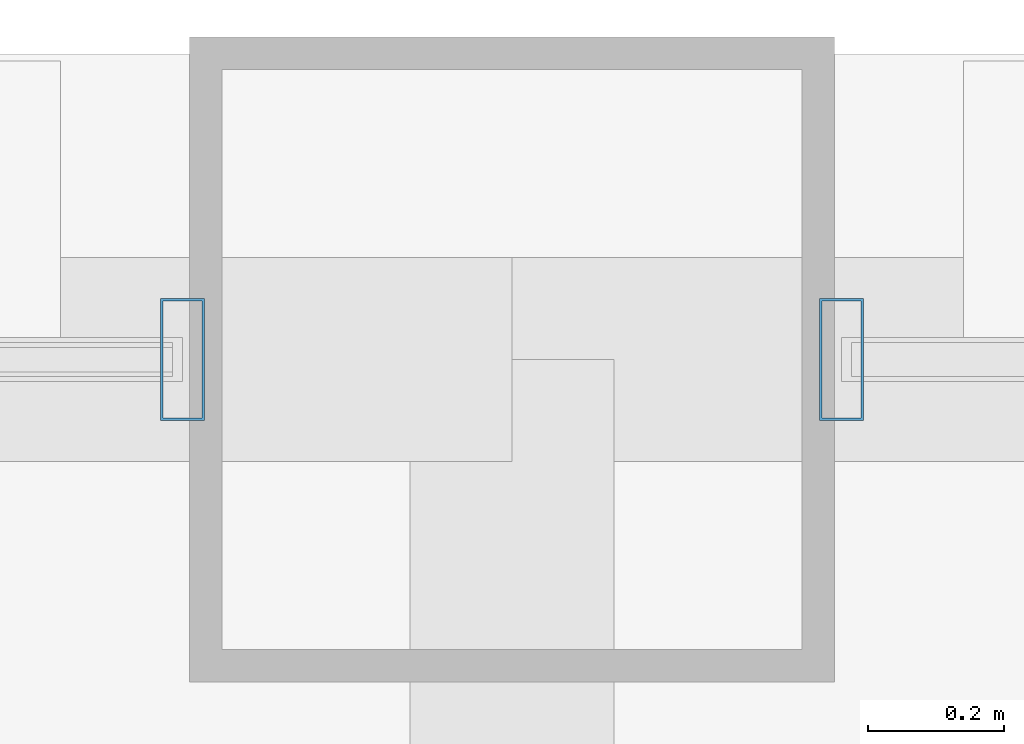
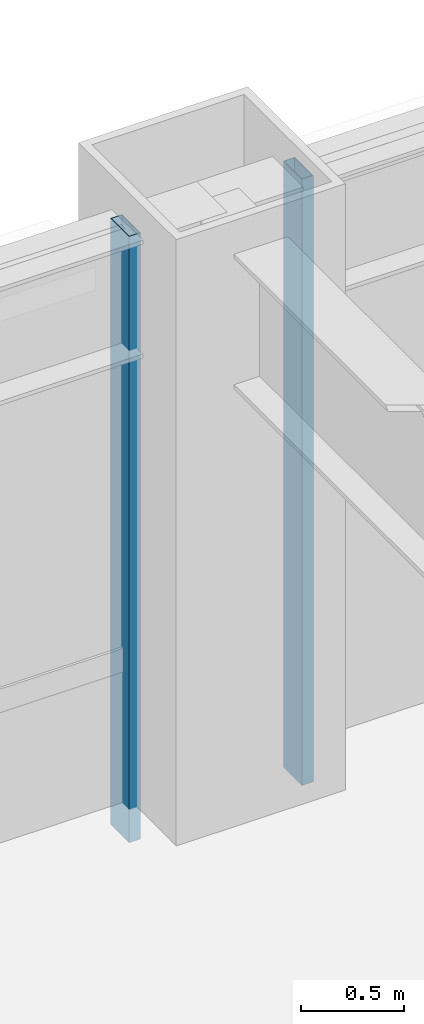
# One storey, part 19 of 31: 2 members, 2 elements without a shape of their own.
"""IFC4 building model written with IfcOpenShell, lengths in metres."""

from ifc_helpers import new_model, si_unit, direction, frame, origin, origin_2d, place, context, subcontext, project, spatial, hollow_rectangle, extrude, material, layer, layer_set, material_profile, profile_set, type_object, element, aggregate, save


model = new_model("IFC4")

# Units and contexts
model_context = context("Model", 3, precision=1e-05, world=origin(), true_north=direction((0.0, 1.0)))
body_context = subcontext(model_context, "Body", "Model", "MODEL_VIEW")
ifc_project = project(units=[si_unit("LENGTHUNIT", "METRE"), si_unit("AREAUNIT", "SQUARE_METRE"), si_unit("VOLUMEUNIT", "CUBIC_METRE"), si_unit("PLANEANGLEUNIT", "RADIAN"), si_unit("MASSUNIT", "GRAM", prefix="KILO")], contexts=[model_context])

# Site, building, storey
site_placement = place(None, origin())
site = spatial("IfcSite", under=ifc_project, at=site_placement, CompositionType="ELEMENT")
building_placement = place(site_placement, origin())
building = spatial("IfcBuilding", under=site, at=building_placement, Name="Brelmoor Portico Tower", CompositionType="ELEMENT")
storey_placement = place(building_placement, frame((0.0, 0.0, 31.199951171875)))
storey = spatial("IfcBuildingStorey", under=building, at=storey_placement, Name="L07", CompositionType="ELEMENT", Elevation=31.199951171875)

# Curtain wall, member
ifc_material = material(Name="Anodised Aluminium Alloy 6063-T6", Category="aluminium")
ifc_layer_1 = layer(ifc_material, 0.179931640625)
ifc_layer_set_1 = layer_set([ifc_layer_1], Name="Anodised Aluminium Alloy 6063-T6")
curtain_wall_type_1 = type_object("IfcCurtainWallType", Name="CW-TOWER-Z1", PredefinedType="NOTDEFINED", material=ifc_layer_set_1)
curtain_wall_1_placement = place(storey_placement, origin())
curtain_wall_1 = element("IfcCurtainWall", 1, at=curtain_wall_1_placement, inside=storey, type_object=curtain_wall_type_1, Name="L07 Curtain Wall CW-L07-2L-2", PredefinedType="NOTDEFINED")
ifc_material_profile = material_profile(ifc_material, hollow_rectangle(XDim=0.06494140625, YDim=0.179931640625, WallThickness=0.00390625, at=origin_2d()), Name="ALU MULLION 65x180")
ifc_profile_set = profile_set([ifc_material_profile], Name="Anodised Aluminium Alloy 6063-T6")
member_type = type_object("IfcMemberType", Name="MB-CW-MULL-180", PredefinedType="MULLION", material=ifc_profile_set)
member_1_placement = place(storey_placement, frame((-8.534912109375, 21.550048828125, -0.199951171875), z_axis=(0.0, 0.0, 1.0), x_axis=(1.0, 0.0, 0.0)))
member_1 = element("IfcMember", 2, at=member_1_placement, type_object=member_type, Name="CW-L07-2L-2 Mullion 01", PredefinedType="MULLION", context=body_context, shape_type="SweptSolid", body=[
    extrude(hollow_rectangle(XDim=0.06494140625, YDim=0.179931640625, WallThickness=0.00390625, at=origin_2d()), origin(), (0.0, 0.0, 1.0), 3.60009765625),
])
aggregate(curtain_wall_1, [member_1])

ifc_layer_2 = layer(ifc_material, 0.179931640625)
ifc_layer_set_2 = layer_set([ifc_layer_2], Name="Anodised Aluminium Alloy 6063-T6")
curtain_wall_type_2 = type_object("IfcCurtainWallType", Name="CW-TOWER-Z1-XB", PredefinedType="NOTDEFINED", material=ifc_layer_set_2)
curtain_wall_2_placement = place(storey_placement, origin())
curtain_wall_2 = element("IfcCurtainWall", 3, at=curtain_wall_2_placement, inside=storey, type_object=curtain_wall_type_2, Name="L07 Curtain Wall CW-L07-2L-3", PredefinedType="NOTDEFINED")
member_2_placement = place(storey_placement, frame((-7.56494140625, 21.550048828125, -0.199951171875), z_axis=(0.0, 0.0, 1.0), x_axis=(1.0, 0.0, 0.0)))
member_2 = element("IfcMember", 4, at=member_2_placement, type_object=member_type, Name="CW-L07-2L-3 Mullion 00", PredefinedType="MULLION", context=body_context, shape_type="SweptSolid", body=[
    extrude(hollow_rectangle(XDim=0.06494140625, YDim=0.179931640625, WallThickness=0.00390625, at=origin_2d()), origin(), (0.0, 0.0, 1.0), 3.60009765625),
])
aggregate(curtain_wall_2, [member_2])

save(model, "model.ifc")
